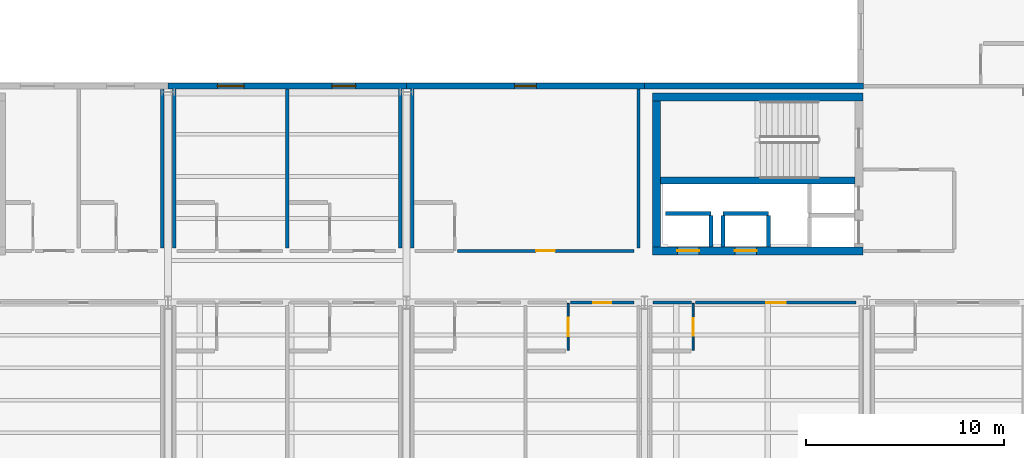
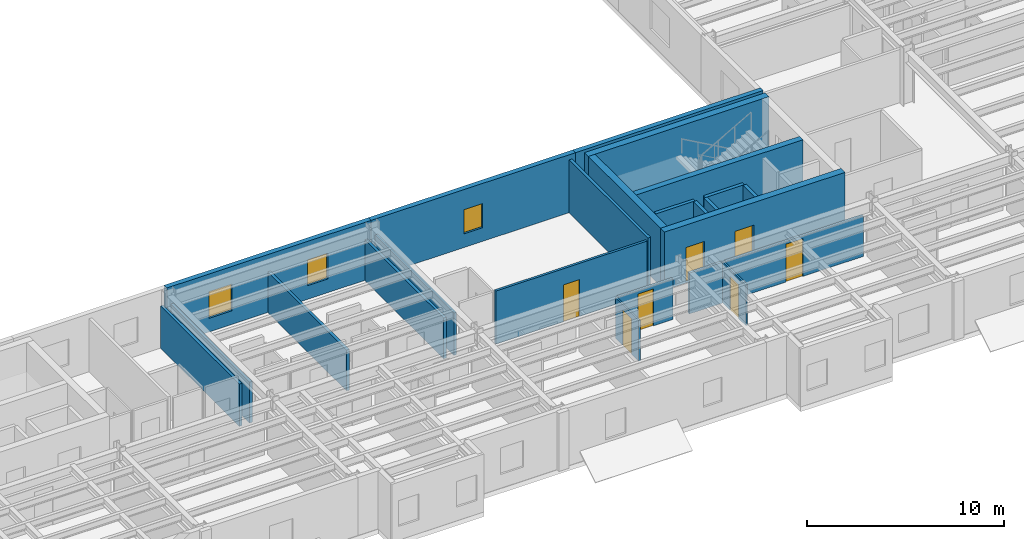
# One storey, part 21 of 34: 24 walls, 7 doors, 3 windows, 10 openings.
"""IFC4 building model written with IfcOpenShell, lengths in metres."""

from ifc_helpers import new_model, si_unit, direction, frame, frame_2d, origin, place, context, subcontext, project, spatial, rectangle, extrude, material, layer, layer_set, type_object, element, fill, save


model = new_model("IFC4")

# Units and contexts
model_context = context("Model", 3, precision=1e-05, world=origin(), true_north=direction((0.0, 1.0)))
body_context = subcontext(model_context, "Body", "Model", "MODEL_VIEW")
ifc_project = project(units=[si_unit("LENGTHUNIT", "METRE"), si_unit("AREAUNIT", "SQUARE_METRE"), si_unit("VOLUMEUNIT", "CUBIC_METRE"), si_unit("PLANEANGLEUNIT", "RADIAN"), si_unit("MASSUNIT", "GRAM", prefix="KILO")], contexts=[model_context])

# Site, building, storey
site_placement = place(None, origin())
site = spatial("IfcSite", under=ifc_project, at=site_placement, CompositionType="ELEMENT")
building_placement = place(site_placement, origin())
building = spatial("IfcBuilding", under=site, at=building_placement, Name="Sollismere Congress Hotel", CompositionType="ELEMENT")
storey_placement = place(building_placement, frame((0.0, 0.0, 23.39990234375)))
storey = spatial("IfcBuildingStorey", under=building, at=storey_placement, Name="L05", CompositionType="ELEMENT", Elevation=23.39990234375)

# Wall, openings, windows
ifc_material_1 = material(Name="Colorado Buff Sandstone Rainscreen on Insulated Backup", Category="masonry")
ifc_layer_1 = layer(ifc_material_1, 0.284912109375, Name="Colorado Buff Sandstone Rainscreen on Insulated Backup")
ifc_layer_set_1 = layer_set([ifc_layer_1], Name="Colorado Buff Sandstone Rainscreen on Insulated Backup")
wall_type_1 = type_object("IfcWallType", Name="WL-EXT285", PredefinedType="STANDARD", material=ifc_layer_set_1)
wall_1_placement = place(storey_placement, frame((124.0, 19.110107421875, 0.0), z_axis=(0.0, 0.0, 1.0), x_axis=(-1.0, 0.0, 0.0)))
wall_1 = element("IfcWall", 1, at=wall_1_placement, inside=storey, type_object=wall_type_1, Name="Exterior wall EW-L05-639", PredefinedType="STANDARD", context=body_context, shape_type="SweptSolid", body=[
    extrude(rectangle(XDim=12.0, YDim=0.284912109375, at=frame_2d((6.0, 0.0))), origin(), (0.0, 0.0, 1.0), 3.60009765625),
])
opening_1_placement = place(wall_1_placement, frame((8.175048828125, 0.0, 0.85009765625)))
opening_1 = element("IfcOpeningElement", 2, at=opening_1_placement, cuts=wall_1, Name="Opening W-L05-472", PredefinedType="OPENING", context=body_context, shape_type="SweptSolid", body=[
    extrude(rectangle(XDim=1.35009765625, YDim=1.64990234375, at=frame_2d((0.675048828125, 0.824951171875))), frame((0.0, 0.15234375, 0.0), z_axis=(0.0, -1.0, 0.0), x_axis=(1.0, 0.0, 0.0)), (0.0, 0.0, 1.0), 0.304931640625),
])
opening_2_placement = place(wall_1_placement, frame((2.550048828125, 0.0, 0.85009765625)))
opening_2 = element("IfcOpeningElement", 3, at=opening_2_placement, cuts=wall_1, Name="Opening W-L05-473", PredefinedType="OPENING", context=body_context, shape_type="SweptSolid", body=[
    extrude(rectangle(XDim=1.199951171875, YDim=1.60009765625, at=frame_2d((0.60009765625, 0.800048828125))), frame((0.0, 0.15234375, 0.0), z_axis=(0.0, -1.0, 0.0), x_axis=(1.0, 0.0, 0.0)), (0.0, 0.0, 1.0), 0.304931640625),
])
ifc_material_2 = material(Name="Thermally Broken Bronze Aluminum & Low-E Glass", Category="aluminium")
window_type_1 = type_object("IfcWindowType", Name="WN-P120x160", PartitioningType="SINGLE_PANEL", PredefinedType="WINDOW", material=ifc_material_2)
window_1_placement = place(opening_2_placement, origin())
window_1 = element("IfcWindow", 4, at=window_1_placement, inside=storey, type_object=window_type_1, Name="WIN-W-L05-473", OverallHeight=1.60009765625, OverallWidth=1.199951171875, PartitioningType="SINGLE_PANEL", PredefinedType="WINDOW", context=body_context, shape_type="SweptSolid", body=[
    extrude(rectangle(XDim=1.199951171875, YDim=1.60009765625, at=frame_2d((0.60009765625, 0.800048828125))), frame((0.0, 0.030029296875, 0.0), z_axis=(0.0, -1.0, 0.0), x_axis=(1.0, 0.0, 0.0)), (0.0, 0.0, 1.0), 0.06005859375),
])
fill(opening_2, window_1)
window_type_2 = type_object("IfcWindowType", Name="WN-P135x165", PartitioningType="SINGLE_PANEL", PredefinedType="WINDOW", material=ifc_material_2)
window_2_placement = place(opening_1_placement, origin())
window_2 = element("IfcWindow", 5, at=window_2_placement, inside=storey, type_object=window_type_2, Name="WIN-W-L05-472", OverallHeight=1.64990234375, OverallWidth=1.35009765625, PartitioningType="SINGLE_PANEL", PredefinedType="WINDOW", context=body_context, shape_type="SweptSolid", body=[
    extrude(rectangle(XDim=1.35009765625, YDim=1.64990234375, at=frame_2d((0.675048828125, 0.824951171875))), frame((0.0, 0.030029296875, 0.0), z_axis=(0.0, -1.0, 0.0), x_axis=(1.0, 0.0, 0.0)), (0.0, 0.0, 1.0), 0.06005859375),
])
fill(opening_1, window_2)

# Wall, opening, window
wall_2_placement = place(storey_placement, frame((136.0, 19.110107421875, 0.0), z_axis=(0.0, 0.0, 1.0), x_axis=(-1.0, 0.0, 0.0)))
wall_2 = element("IfcWall", 6, at=wall_2_placement, inside=storey, type_object=wall_type_1, Name="Exterior wall EW-L05-640", PredefinedType="STANDARD", context=body_context, shape_type="SweptSolid", body=[
    extrude(rectangle(XDim=12.0, YDim=0.284912109375, at=frame_2d((6.0, 0.0))), origin(), (0.0, 0.0, 1.0), 3.60009765625),
])
opening_3_placement = place(wall_2_placement, frame((5.449951171875, 0.0, 0.85009765625)))
opening_3 = element("IfcOpeningElement", 7, at=opening_3_placement, cuts=wall_2, Name="Opening W-L05-474", PredefinedType="OPENING", context=body_context, shape_type="SweptSolid", body=[
    extrude(rectangle(XDim=1.10009765625, YDim=1.5, at=frame_2d((0.550048828125, 0.75))), frame((0.0, 0.15234375, 0.0), z_axis=(0.0, -1.0, 0.0), x_axis=(1.0, 0.0, 0.0)), (0.0, 0.0, 1.0), 0.304931640625),
])
window_type_3 = type_object("IfcWindowType", Name="WN-P110x150", PartitioningType="SINGLE_PANEL", PredefinedType="WINDOW", material=ifc_material_2)
window_3_placement = place(opening_3_placement, origin())
window_3 = element("IfcWindow", 8, at=window_3_placement, inside=storey, type_object=window_type_3, Name="WIN-W-L05-474", OverallHeight=1.5, OverallWidth=1.10009765625, PartitioningType="SINGLE_PANEL", PredefinedType="WINDOW", context=body_context, shape_type="SweptSolid", body=[
    extrude(rectangle(XDim=1.10009765625, YDim=1.5, at=frame_2d((0.550048828125, 0.75))), frame((0.0, 0.030029296875, 0.0), z_axis=(0.0, -1.0, 0.0), x_axis=(1.0, 0.0, 0.0)), (0.0, 0.0, 1.0), 0.06005859375),
])
fill(opening_3, window_3)

# Walls
wall_3_placement = place(storey_placement, frame((147.030029296875, 19.110107421875, 0.0), z_axis=(0.0, 0.0, 1.0), x_axis=(-1.0, 0.0, 0.0)))
element("IfcWall", 9, at=wall_3_placement, inside=storey, type_object=wall_type_1, Name="Exterior wall EW-L05-641", PredefinedType="STANDARD", context=body_context, shape_type="SweptSolid", body=[
    extrude(rectangle(XDim=11.030029296875, YDim=0.284912109375, at=frame_2d((5.51513671875, 0.0))), origin(), (0.0, 0.0, 1.0), 3.60009765625),
])
ifc_material_3 = material(Name="Moisture-Resistant Shaft Gypsum Assembly")
ifc_layer_2 = layer(ifc_material_3, 0.199951171875, Name="Moisture-Resistant Shaft Gypsum Assembly")
ifc_layer_set_2 = layer_set([ifc_layer_2], Name="Moisture-Resistant Shaft Gypsum Assembly")
wall_type_2 = type_object("IfcWallType", Name="WL-PLM200", PredefinedType="PLUMBINGWALL", material=ifc_layer_set_2)
wall_4_placement = place(storey_placement, frame((137.054931640625, 12.68994140625, 0.0), z_axis=(0.0, 0.0, 1.0), x_axis=(1.0, 0.0, 0.0)))
element("IfcWall", 10, at=wall_4_placement, inside=storey, type_object=wall_type_2, Name="Interior wall IW-L05-0102", PredefinedType="PLUMBINGWALL", context=body_context, shape_type="SweptSolid", body=[
    extrude(rectangle(XDim=2.2900390625, YDim=0.199951171875, at=frame_2d((1.14501953125, 0.0))), origin(), (0.0, 0.0, 1.0), 3.300048828125),
])
wall_5_placement = place(storey_placement, frame((139.344970703125, 11.011962890625, 0.0), z_axis=(0.0, 0.0, 1.0), x_axis=(0.0, 1.0, 0.0)))
element("IfcWall", 11, at=wall_5_placement, inside=storey, type_object=wall_type_2, Name="Interior wall IW-L05-0103", PredefinedType="PLUMBINGWALL", context=body_context, shape_type="SweptSolid", body=[
    extrude(rectangle(XDim=1.56591796875, YDim=0.199951171875, at=frame_2d((0.782958984375, 0.0))), origin(), (0.0, 0.0, 1.0), 3.300048828125),
])
wall_6_placement = place(storey_placement, frame((139.955078125, 12.68994140625, 0.0), z_axis=(0.0, 0.0, 1.0), x_axis=(1.0, 0.0, 0.0)))
element("IfcWall", 12, at=wall_6_placement, inside=storey, type_object=wall_type_2, Name="Interior wall IW-L05-0104", PredefinedType="PLUMBINGWALL", context=body_context, shape_type="SweptSolid", body=[
    extrude(rectangle(XDim=2.2900390625, YDim=0.199951171875, at=frame_2d((1.14501953125, 0.0))), origin(), (0.0, 0.0, 1.0), 3.300048828125),
])
for number, where, z_axis, x_axis, name in (
    (13, (139.955078125, 11.011962890625, 0.0), (0.0, 0.0, 1.0), (0.0, 1.0, 0.0), "Interior wall IW-L05-0105"),
    (14, (142.2451171875, 11.011962890625, 0.0), (0.0, 0.0, 1.0), (0.0, 1.0, 0.0), "Interior wall IW-L05-0106"),
):
    element("IfcWall", number, at=place(storey_placement, frame(where, z_axis=z_axis, x_axis=x_axis)), inside=storey, type_object=wall_type_2, Name=name, PredefinedType="PLUMBINGWALL", context=body_context, shape_type="SweptSolid", body=[
        extrude(rectangle(XDim=1.56591796875, YDim=0.199951171875, at=frame_2d((0.782958984375, 0.0))), origin(), (0.0, 0.0, 1.0), 3.300048828125),
    ])

# Wall, opening, door
ifc_material_4 = material(Name="Moisture-Resistant Gypsum Partition")
ifc_layer_3 = layer(ifc_material_4, 0.10009765625, Name="Moisture-Resistant Gypsum Partition")
ifc_layer_set_3 = layer_set([ifc_layer_3], Name="Moisture-Resistant Gypsum Partition")
wall_type_3 = type_object("IfcWallType", Name="WL-PRT100", PredefinedType="PARTITIONING", material=ifc_layer_set_3)
wall_7_placement = place(storey_placement, frame((132.14990234375, 5.7900390625, 0.0), z_axis=(0.0, 0.0, 1.0), x_axis=(0.0, 1.0, 0.0)))
wall_7 = element("IfcWall", 15, at=wall_7_placement, inside=storey, type_object=wall_type_3, Name="Interior wall IW-L05-1862", PredefinedType="PARTITIONING", context=body_context, shape_type="SweptSolid", body=[
    extrude(rectangle(XDim=2.369873046875, YDim=0.10009765625, at=frame_2d((1.18505859375, 0.0))), origin(), (0.0, 0.0, 1.0), 2.5380859375),
])
opening_4_placement = place(wall_7_placement, frame((0.719970703125, 0.0, 0.0)))
opening_4 = element("IfcOpeningElement", 16, at=opening_4_placement, cuts=wall_7, Name="Opening D-L05-0658", PredefinedType="OPENING", context=body_context, shape_type="SweptSolid", body=[
    extrude(rectangle(XDim=0.929931640625, YDim=2.219970703125, at=frame_2d((0.46484375, 1.10986328125))), frame((0.0, 0.06005859375, 0.0), z_axis=(0.0, -1.0, 0.0), x_axis=(1.0, 0.0, 0.0)), (0.0, 0.0, 1.0), 0.1201171875),
])
ifc_material_5 = material(Name="Moisture-Sealed Timber Bathroom Door", Category="wood")
door_type_1 = type_object("IfcDoorType", Name="DR-BT07", OperationType="NOTDEFINED", PredefinedType="DOOR", material=ifc_material_5)
door_1_placement = place(opening_4_placement, origin())
door_1 = element("IfcDoor", 17, at=door_1_placement, inside=storey, type_object=door_type_1, Name="En-suite bathroom door D-L05-0658", OperationType="SINGLE_SWING_LEFT", OverallHeight=2.219970703125, OverallWidth=0.929931640625, PredefinedType="DOOR", context=body_context, shape_type="SweptSolid", body=[
    extrude(rectangle(XDim=0.929931640625, YDim=2.219970703125, at=frame_2d((0.46484375, 1.10986328125))), frame((0.0, 0.02490234375, 0.0), z_axis=(0.0, -1.0, 0.0), x_axis=(1.0, 0.0, 0.0)), (0.0, 0.0, 1.0), 0.050048828125),
])
fill(opening_4, door_1)

wall_8_placement = place(storey_placement, frame((138.449951171875, 5.7900390625, 0.0), z_axis=(0.0, 0.0, 1.0), x_axis=(0.0, 1.0, 0.0)))
wall_8 = element("IfcWall", 18, at=wall_8_placement, inside=storey, type_object=wall_type_3, Name="Interior wall IW-L05-1874", PredefinedType="PARTITIONING", context=body_context, shape_type="SweptSolid", body=[
    extrude(rectangle(XDim=2.369873046875, YDim=0.10009765625, at=frame_2d((1.18505859375, 0.0))), origin(), (0.0, 0.0, 1.0), 2.5380859375),
])
opening_5_placement = place(wall_8_placement, frame((0.7451171875, 0.0, 0.0)))
opening_5 = element("IfcOpeningElement", 19, at=opening_5_placement, cuts=wall_8, Name="Opening D-L05-0662", PredefinedType="OPENING", context=body_context, shape_type="SweptSolid", body=[
    extrude(rectangle(XDim=0.8798828125, YDim=2.10009765625, at=frame_2d((0.43994140625, 1.050048828125))), frame((0.0, 0.06005859375, 0.0), z_axis=(0.0, -1.0, 0.0), x_axis=(1.0, 0.0, 0.0)), (0.0, 0.0, 1.0), 0.1201171875),
])
door_type_2 = type_object("IfcDoorType", Name="DR-BT01", OperationType="NOTDEFINED", PredefinedType="DOOR", material=ifc_material_5)
door_2_placement = place(opening_5_placement, origin())
door_2 = element("IfcDoor", 20, at=door_2_placement, inside=storey, type_object=door_type_2, Name="En-suite bathroom door D-L05-0662", OperationType="SINGLE_SWING_LEFT", OverallHeight=2.10009765625, OverallWidth=0.8798828125, PredefinedType="DOOR", context=body_context, shape_type="SweptSolid", body=[
    extrude(rectangle(XDim=0.8798828125, YDim=2.10009765625, at=frame_2d((0.43994140625, 1.050048828125))), frame((0.0, 0.02490234375, 0.0), z_axis=(0.0, -1.0, 0.0), x_axis=(1.0, 0.0, 0.0)), (0.0, 0.0, 1.0), 0.050048828125),
])
fill(opening_5, door_2)

ifc_material_6 = material(Name="Fire-Rated Gypsum Partition")
ifc_layer_4 = layer(ifc_material_6, 0.139892578125, Name="Fire-Rated Gypsum Partition")
ifc_layer_set_4 = layer_set([ifc_layer_4], Name="Fire-Rated Gypsum Partition")
wall_type_4 = type_object("IfcWallType", Name="WL-PRT140R", PredefinedType="PARTITIONING", material=ifc_layer_set_4)
wall_9_placement = place(storey_placement, frame((132.27001953125, 8.199951171875, 0.0), z_axis=(0.0, 0.0, 1.0), x_axis=(1.0, 0.0, 0.0)))
wall_9 = element("IfcWall", 21, at=wall_9_placement, inside=storey, type_object=wall_type_4, Name="Interior wall IW-L05-1860", PredefinedType="PARTITIONING", context=body_context, shape_type="SweptSolid", body=[
    extrude(rectangle(XDim=3.18994140625, YDim=0.139892578125, at=frame_2d((1.594970703125, 0.0))), origin(), (0.0, 0.0, 1.0), 2.5380859375),
])
opening_6_placement = place(wall_9_placement, frame((1.135009765625, 0.0, 0.0)))
opening_6 = element("IfcOpeningElement", 22, at=opening_6_placement, cuts=wall_9, Name="Opening D-L05-0657", PredefinedType="OPENING", context=body_context, shape_type="SweptSolid", body=[
    extrude(rectangle(XDim=0.919921875, YDim=2.300048828125, at=frame_2d((0.4599609375, 1.14990234375))), frame((0.0, 0.079833984375, 0.0), z_axis=(0.0, -1.0, 0.0), x_axis=(1.0, 0.0, 0.0)), (0.0, 0.0, 1.0), 0.159912109375),
])
ifc_material_7 = material(Name="Solid-Core Acoustic Walnut Guestroom Entry Door")
door_type_3 = type_object("IfcDoorType", Name="DR-KY07", OperationType="NOTDEFINED", PredefinedType="DOOR", material=ifc_material_7)
door_3_placement = place(opening_6_placement, origin())
door_3 = element("IfcDoor", 23, at=door_3_placement, inside=storey, type_object=door_type_3, Name="Hotel room entry door D-L05-0657", OperationType="SINGLE_SWING_RIGHT", OverallHeight=2.300048828125, OverallWidth=0.919921875, PredefinedType="DOOR", context=body_context, shape_type="SweptSolid", body=[
    extrude(rectangle(XDim=0.919921875, YDim=2.300048828125, at=frame_2d((0.4599609375, 1.14990234375))), frame((0.0, 0.02490234375, 0.0), z_axis=(0.0, -1.0, 0.0), x_axis=(1.0, 0.0, 0.0)), (0.0, 0.0, 1.0), 0.050048828125),
])
fill(opening_6, door_3)

wall_10_placement = place(storey_placement, frame((126.570068359375, 10.800048828125, 0.0), z_axis=(0.0, 0.0, 1.0), x_axis=(1.0, 0.0, 0.0)))
wall_10 = element("IfcWall", 24, at=wall_10_placement, inside=storey, type_object=wall_type_4, Name="Interior wall IW-L05-1865", PredefinedType="PARTITIONING", context=body_context, shape_type="SweptSolid", body=[
    extrude(rectangle(XDim=8.889892578125, YDim=0.139892578125, at=frame_2d((4.44482421875, 0.0))), origin(), (0.0, 0.0, 1.0), 3.300048828125),
])
opening_7_placement = place(wall_10_placement, frame((3.969970703125, 0.0, 0.0)))
opening_7 = element("IfcOpeningElement", 25, at=opening_7_placement, cuts=wall_10, Name="Opening D-L05-0659", PredefinedType="OPENING", context=body_context, shape_type="SweptSolid", body=[
    extrude(rectangle(XDim=0.949951171875, YDim=2.300048828125, at=frame_2d((0.47509765625, 1.14990234375))), frame((0.0, 0.079833984375, 0.0), z_axis=(0.0, -1.0, 0.0), x_axis=(1.0, 0.0, 0.0)), (0.0, 0.0, 1.0), 0.159912109375),
])
door_type_4 = type_object("IfcDoorType", Name="DR-KY08", OperationType="NOTDEFINED", PredefinedType="DOOR", material=ifc_material_7)
door_4_placement = place(opening_7_placement, origin())
door_4 = element("IfcDoor", 26, at=door_4_placement, inside=storey, type_object=door_type_4, Name="Hotel room entry door D-L05-0659", OperationType="SINGLE_SWING_RIGHT", OverallHeight=2.300048828125, OverallWidth=0.949951171875, PredefinedType="DOOR", context=body_context, shape_type="SweptSolid", body=[
    extrude(rectangle(XDim=0.949951171875, YDim=2.300048828125, at=frame_2d((0.47509765625, 1.14990234375))), frame((0.0, 0.02490234375, 0.0), z_axis=(0.0, -1.0, 0.0), x_axis=(1.0, 0.0, 0.0)), (0.0, 0.0, 1.0), 0.050048828125),
])
fill(opening_7, door_4)

# Wall
wall_11_placement = place(storey_placement, frame((136.43994140625, 8.199951171875, 0.0), z_axis=(0.0, 0.0, 1.0), x_axis=(1.0, 0.0, 0.0)))
element("IfcWall", 27, at=wall_11_placement, inside=storey, type_object=wall_type_4, Name="Interior wall IW-L05-1870", PredefinedType="PARTITIONING", context=body_context, shape_type="SweptSolid", body=[
    extrude(rectangle(XDim=1.93017578125, YDim=0.139892578125, at=frame_2d((0.965087890625, 0.0))), origin(), (0.0, 0.0, 1.0), 2.5380859375),
])

# Wall, opening, door
wall_12_placement = place(storey_placement, frame((138.570068359375, 8.199951171875, 0.0), z_axis=(0.0, 0.0, 1.0), x_axis=(1.0, 0.0, 0.0)))
wall_12 = element("IfcWall", 28, at=wall_12_placement, inside=storey, type_object=wall_type_4, Name="Interior wall IW-L05-1871", PredefinedType="PARTITIONING", context=body_context, shape_type="SweptSolid", body=[
    extrude(rectangle(XDim=8.08984375, YDim=0.139892578125, at=frame_2d((4.044921875, 0.0))), origin(), (0.0, 0.0, 1.0), 2.5380859375),
])
opening_8_placement = place(wall_12_placement, frame((3.554931640625, 0.0, 0.0)))
opening_8 = element("IfcOpeningElement", 29, at=opening_8_placement, cuts=wall_12, Name="Opening D-L05-0661", PredefinedType="OPENING", context=body_context, shape_type="SweptSolid", body=[
    extrude(rectangle(XDim=0.97998046875, YDim=2.35009765625, at=frame_2d((0.489990234375, 1.175048828125))), frame((0.0, 0.079833984375, 0.0), z_axis=(0.0, -1.0, 0.0), x_axis=(1.0, 0.0, 0.0)), (0.0, 0.0, 1.0), 0.159912109375),
])
door_type_5 = type_object("IfcDoorType", Name="DR-KY09", OperationType="NOTDEFINED", PredefinedType="DOOR", material=ifc_material_7)
door_5_placement = place(opening_8_placement, origin())
door_5 = element("IfcDoor", 30, at=door_5_placement, inside=storey, type_object=door_type_5, Name="Hotel room entry door D-L05-0661", OperationType="SINGLE_SWING_RIGHT", OverallHeight=2.35009765625, OverallWidth=0.97998046875, PredefinedType="DOOR", context=body_context, shape_type="SweptSolid", body=[
    extrude(rectangle(XDim=0.97998046875, YDim=2.35009765625, at=frame_2d((0.489990234375, 1.175048828125))), frame((0.0, 0.02490234375, 0.0), z_axis=(0.0, -1.0, 0.0), x_axis=(1.0, 0.0, 0.0)), (0.0, 0.0, 1.0), 0.050048828125),
])
fill(opening_8, door_5)

# Walls
ifc_material_8 = material(Name="Fire-Rated Acoustic Gypsum Partition")
ifc_layer_5 = layer(ifc_material_8, 0.1650390625, Name="Fire-Rated Acoustic Gypsum Partition")
ifc_layer_set_5 = layer_set([ifc_layer_5], Name="Fire-Rated Acoustic Gypsum Partition")
wall_type_5 = type_object("IfcWallType", Name="WL-PRT165R", PredefinedType="PARTITIONING", material=ifc_layer_set_5)
wall_13_placement = place(storey_placement, frame((111.699951171875, 10.93994140625, 0.0), z_axis=(0.0, 0.0, 1.0), x_axis=(0.0, 1.0, 0.0)))
element("IfcWall", 31, at=wall_13_placement, inside=storey, type_object=wall_type_5, Name="Interior wall IW-L05-1828", PredefinedType="PARTITIONING", context=body_context, shape_type="SweptSolid", body=[
    extrude(rectangle(XDim=8.012451171875, YDim=0.1650390625, at=frame_2d((4.00634765625, 0.0))), origin(), (0.0, 0.0, 1.0), 2.629150390625),
])
for number, where, z_axis, x_axis, name in (
    (32, (112.300048828125, 10.93994140625, 0.0), (0.0, 0.0, 1.0), (0.0, 1.0, 0.0), "Interior wall IW-L05-1844"),
    (33, (118.0, 10.93994140625, 0.0), (0.0, 0.0, 1.0), (0.0, 1.0, 0.0), "Interior wall IW-L05-1845"),
    (34, (123.699951171875, 10.93994140625, 0.0), (0.0, 0.0, 1.0), (0.0, 1.0, 0.0), "Interior wall IW-L05-1850"),
):
    element("IfcWall", number, at=place(storey_placement, frame(where, z_axis=z_axis, x_axis=x_axis)), inside=storey, type_object=wall_type_5, Name=name, PredefinedType="PARTITIONING", context=body_context, shape_type="SweptSolid", body=[
        extrude(rectangle(XDim=8.012451171875, YDim=0.1650390625, at=frame_2d((4.00634765625, 0.0))), origin(), (0.0, 0.0, 1.0), 2.5380859375),
    ])
wall_14_placement = place(storey_placement, frame((124.300048828125, 10.93994140625, 0.0), z_axis=(0.0, 0.0, 1.0), x_axis=(0.0, 1.0, 0.0)))
element("IfcWall", 35, at=wall_14_placement, inside=storey, type_object=wall_type_5, Name="Interior wall IW-L05-1866", PredefinedType="PARTITIONING", context=body_context, shape_type="SweptSolid", body=[
    extrude(rectangle(XDim=8.012451171875, YDim=0.1650390625, at=frame_2d((4.00634765625, 0.0))), origin(), (0.0, 0.0, 1.0), 2.629150390625),
])
wall_15_placement = place(storey_placement, frame((135.699951171875, 10.93994140625, 0.0), z_axis=(0.0, 0.0, 1.0), x_axis=(0.0, 1.0, 0.0)))
element("IfcWall", 36, at=wall_15_placement, inside=storey, type_object=wall_type_5, Name="Interior wall IW-L05-1867", PredefinedType="PARTITIONING", context=body_context, shape_type="SweptSolid", body=[
    extrude(rectangle(XDim=8.012451171875, YDim=0.1650390625, at=frame_2d((4.00634765625, 0.0))), origin(), (0.0, 0.0, 1.0), 3.300048828125),
])
ifc_material_9 = material(Name="Concrete C50/60", Category="concrete")
ifc_layer_6 = layer(ifc_material_9, 0.35009765625, Name="Concrete C50/60")
ifc_layer_set_6 = layer_set([ifc_layer_6], Name="Concrete C50/60")
wall_type_6 = type_object("IfcWallType", Name="WL-SHR350", PredefinedType="SHEAR", material=ifc_layer_set_6)
wall_16_placement = place(storey_placement, frame((136.800048828125, 14.35009765625, 0.0), z_axis=(0.0, 0.0, 1.0), x_axis=(1.0, 0.0, 0.0)))
element("IfcWall", 37, at=wall_16_placement, inside=storey, type_object=wall_type_6, Name="Interior wall IW-L05-0101", PredefinedType="SHEAR", context=body_context, shape_type="SweptSolid", body=[
    extrude(rectangle(XDim=9.800048828125, YDim=0.35009765625, at=frame_2d((4.89990234375, 0.0))), origin(), (0.0, 0.0, 1.0), 3.60009765625),
])

# Wall, openings, doors
ifc_layer_7 = layer(ifc_material_9, 0.39990234375, Name="Concrete C50/60")
ifc_layer_set_7 = layer_set([ifc_layer_7], Name="Concrete C50/60")
wall_type_7 = type_object("IfcWallType", Name="WL-SHR400", PredefinedType="SHEAR", material=ifc_layer_set_7)
wall_17_placement = place(storey_placement, frame((136.39990234375, 10.800048828125, 0.0), z_axis=(0.0, 0.0, 1.0), x_axis=(1.0, 0.0, 0.0)))
wall_17 = element("IfcWall", 38, at=wall_17_placement, inside=storey, type_object=wall_type_7, Name="Interior wall IW-L05-0097", PredefinedType="SHEAR", context=body_context, shape_type="SweptSolid", body=[
    extrude(rectangle(XDim=10.60009765625, YDim=0.39990234375, at=frame_2d((5.300048828125, 0.0))), origin(), (0.0, 0.0, 1.0), 3.60009765625),
])
opening_9_placement = place(wall_17_placement, frame((1.25, 0.0, 0.0)))
opening_9 = element("IfcOpeningElement", 39, at=opening_9_placement, cuts=wall_17, Name="Opening LD-LP-01-L05", PredefinedType="OPENING", context=body_context, shape_type="SweptSolid", body=[
    extrude(rectangle(XDim=1.10009765625, YDim=2.199951171875, at=frame_2d((0.550048828125, 1.10009765625))), frame((0.0, 0.2099609375, 0.0), z_axis=(0.0, -1.0, 0.0), x_axis=(1.0, 0.0, 0.0)), (0.0, 0.0, 1.0), 0.419921875),
])
opening_10_placement = place(wall_17_placement, frame((4.14990234375, 0.0, 0.0)))
opening_10 = element("IfcOpeningElement", 40, at=opening_10_placement, cuts=wall_17, Name="Opening LD-LP-02-L05", PredefinedType="OPENING", context=body_context, shape_type="SweptSolid", body=[
    extrude(rectangle(XDim=1.10009765625, YDim=2.199951171875, at=frame_2d((0.550048828125, 1.10009765625))), frame((0.0, 0.2099609375, 0.0), z_axis=(0.0, -1.0, 0.0), x_axis=(1.0, 0.0, 0.0)), (0.0, 0.0, 1.0), 0.419921875),
])
ifc_material_10 = material(Name="Brushed Bronze Sliding Elevator Landing Door")
door_type_6 = type_object("IfcDoorType", Name="DR-LD110", OperationType="NOTDEFINED", PredefinedType="DOOR", material=ifc_material_10)
door_6_placement = place(opening_9_placement, origin())
door_6 = element("IfcDoor", 41, at=door_6_placement, inside=storey, type_object=door_type_6, Name="Elevator landing door LD-LP-01-L05", OperationType="SLIDING_TO_LEFT", OverallHeight=2.199951171875, OverallWidth=1.10009765625, PredefinedType="DOOR", context=body_context, shape_type="SweptSolid", body=[
    extrude(rectangle(XDim=1.10009765625, YDim=2.199951171875, at=frame_2d((0.550048828125, 1.10009765625))), frame((0.0, 0.02490234375, 0.0), z_axis=(0.0, -1.0, 0.0), x_axis=(1.0, 0.0, 0.0)), (0.0, 0.0, 1.0), 0.050048828125),
])
fill(opening_9, door_6)
door_7_placement = place(opening_10_placement, origin())
door_7 = element("IfcDoor", 42, at=door_7_placement, inside=storey, type_object=door_type_6, Name="Elevator landing door LD-LP-02-L05", OperationType="SLIDING_TO_RIGHT", OverallHeight=2.199951171875, OverallWidth=1.10009765625, PredefinedType="DOOR", context=body_context, shape_type="SweptSolid", body=[
    extrude(rectangle(XDim=1.10009765625, YDim=2.199951171875, at=frame_2d((0.550048828125, 1.10009765625))), frame((0.0, 0.02490234375, 0.0), z_axis=(0.0, -1.0, 0.0), x_axis=(1.0, 0.0, 0.0)), (0.0, 0.0, 1.0), 0.050048828125),
])
fill(opening_10, door_7)

# Walls
wall_18_placement = place(storey_placement, frame((147.0, 18.550048828125, 0.0), z_axis=(0.0, 0.0, 1.0), x_axis=(-1.0, 0.0, 0.0)))
element("IfcWall", 43, at=wall_18_placement, inside=storey, type_object=wall_type_7, Name="Interior wall IW-L05-0098", PredefinedType="SHEAR", context=body_context, shape_type="SweptSolid", body=[
    extrude(rectangle(XDim=10.60009765625, YDim=0.39990234375, at=frame_2d((5.300048828125, 0.0))), origin(), (0.0, 0.0, 1.0), 3.60009765625),
])
wall_19_placement = place(storey_placement, frame((136.60009765625, 18.35009765625, 0.0), z_axis=(0.0, 0.0, 1.0), x_axis=(0.0, -1.0, 0.0)))
element("IfcWall", 44, at=wall_19_placement, inside=storey, type_object=wall_type_7, Name="Interior wall IW-L05-0099", PredefinedType="SHEAR", context=body_context, shape_type="SweptSolid", body=[
    extrude(rectangle(XDim=7.35009765625, YDim=0.39990234375, at=frame_2d((3.675048828125, 0.0))), origin(), (0.0, 0.0, 1.0), 3.60009765625),
])

save(model, "model.ifc")
